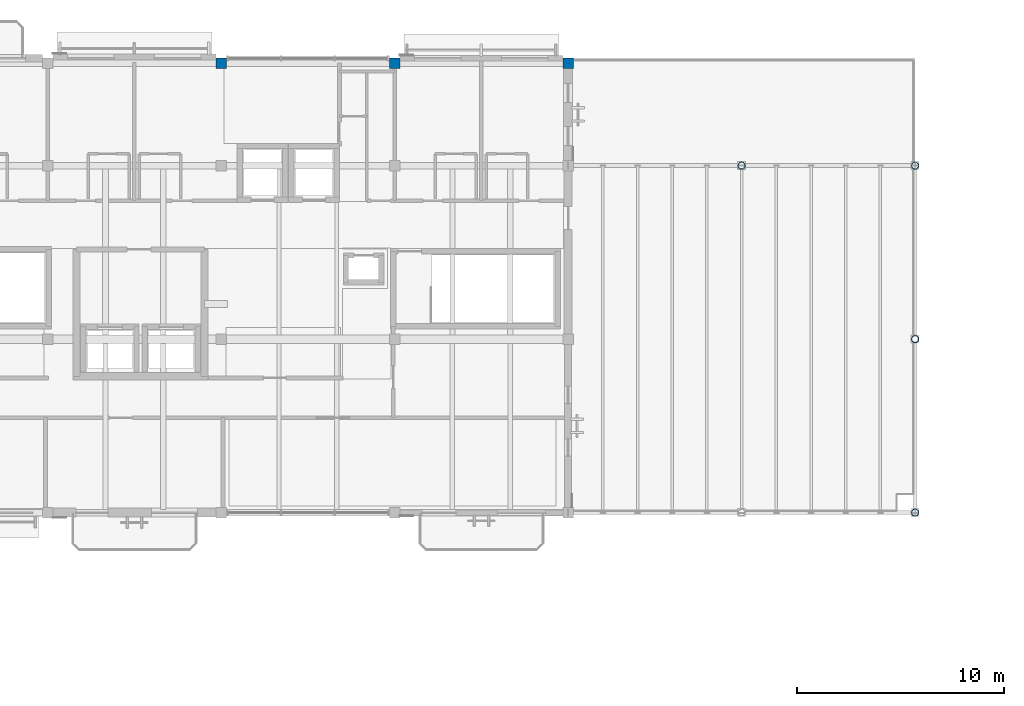
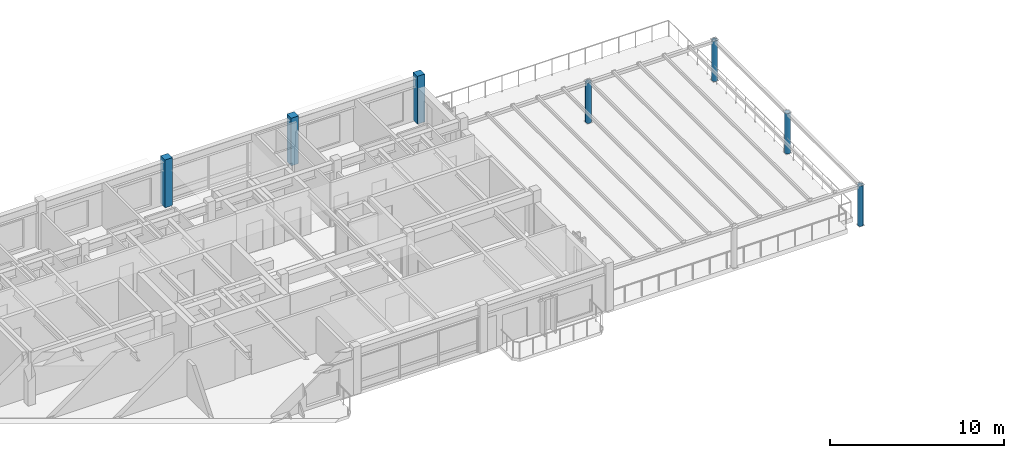
# One storey, part 4 of 24: 7 columns.
"""IFC4 building model written with IfcOpenShell, lengths in metres."""

from ifc_helpers import new_model, si_unit, direction, frame, origin, origin_2d, place, context, subcontext, project, spatial, rectangle, hollow_circle, extrude, material, material_profile, profile_set, type_object, element, save


model = new_model("IFC4")

# Units and contexts
model_context = context("Model", 3, precision=1e-05, world=origin(), true_north=direction((0.0, 1.0)))
body_context = subcontext(model_context, "Body", "Model", "MODEL_VIEW")
ifc_project = project(units=[si_unit("LENGTHUNIT", "METRE"), si_unit("AREAUNIT", "SQUARE_METRE"), si_unit("VOLUMEUNIT", "CUBIC_METRE"), si_unit("PLANEANGLEUNIT", "RADIAN"), si_unit("MASSUNIT", "GRAM", prefix="KILO")], contexts=[model_context])

# Site, building, storey
site_placement = place(None, origin())
site = spatial("IfcSite", under=ifc_project, at=site_placement, CompositionType="ELEMENT")
building_placement = place(site_placement, origin())
building = spatial("IfcBuilding", under=site, at=building_placement, Name="Cumbredor Promenade Congress Hotel", CompositionType="ELEMENT")
storey_placement = place(building_placement, frame((0.0, 0.0, 35.280029296875)))
storey = spatial("IfcBuildingStorey", under=building, at=storey_placement, Name="L10", CompositionType="ELEMENT", Elevation=35.280029296875)

# Columns
ifc_material_1 = material(Name="Concrete C40/50", Category="concrete")
ifc_material_profile_1 = material_profile(ifc_material_1, rectangle(XDim=0.5, YDim=0.5, at=origin_2d()), Name="RC 500x500")
ifc_profile_set_1 = profile_set([ifc_material_profile_1], Name="Concrete C40/50")
column_type_1 = type_object("IfcColumnType", Name="COL-RC-500", PredefinedType="COLUMN", material=ifc_profile_set_1)
for number, where, z_axis, x_axis, name in (
    (1, (33.60009765625, 114.14990234375, 0.0), (0.0, 0.0, 1.0), (1.0, 0.0, 0.0), "L10 Structural Column 016"),
    (2, (42.0, 114.14990234375, 0.0), (0.0, 0.0, 1.0), (1.0, 0.0, 0.0), "L10 Structural Column 020"),
    (3, (50.39990234375, 114.14990234375, 0.0), (0.0, 0.0, 1.0), (1.0, 0.0, 0.0), "L10 Structural Column 024"),
):
    element("IfcColumn", number, at=place(storey_placement, frame(where, z_axis=z_axis, x_axis=x_axis)), inside=storey, type_object=column_type_1, Name=name, PredefinedType="COLUMN", context=body_context, shape_type="SweptSolid", body=[
        extrude(rectangle(XDim=0.5, YDim=0.5, at=origin_2d()), origin(), (0.0, 0.0, 1.0), 3.35986328125),
    ])
ifc_material_2 = material(Name="Steel ASTM A500 Grade C", Category="steel")
ifc_material_profile_2 = material_profile(ifc_material_2, hollow_circle(Radius=0.177734375, WallThickness=0.01611328125, at=origin_2d()), Name="CHS 355.6x16")
ifc_profile_set_2 = profile_set([ifc_material_profile_2], Name="Steel ASTM A500 Grade C")
column_type_2 = type_object("IfcColumnType", Name="COL-STL-CHS355", PredefinedType="COLUMN", material=ifc_profile_set_2)
for number, where, z_axis, x_axis, name in (
    (4, (58.800048828125, 109.199951171875, 0.0048828125), (0.0, 0.0, 1.0), (1.0, 0.0, 0.0), "L10 Sky-Garden Pergola Post 5.5"),
    (5, (67.199951171875, 92.39990234375, 0.0048828125), (0.0, 0.0, 1.0), (1.0, 0.0, 0.0), "L10 Sky-Garden Pergola Post 5.6"),
    (6, (67.199951171875, 100.800048828125, 0.0048828125), (0.0, 0.0, 1.0), (1.0, 0.0, 0.0), "L10 Sky-Garden Pergola Post 5.7"),
    (7, (67.199951171875, 109.199951171875, 0.0048828125), (0.0, 0.0, 1.0), (1.0, 0.0, 0.0), "L10 Sky-Garden Pergola Post 5.8"),
):
    element("IfcColumn", number, at=place(storey_placement, frame(where, z_axis=z_axis, x_axis=x_axis)), inside=storey, type_object=column_type_2, Name=name, PredefinedType="COLUMN", context=body_context, shape_type="SweptSolid", body=[
        extrude(hollow_circle(Radius=0.177734375, WallThickness=0.01611328125, at=origin_2d()), origin(), (0.0, 0.0, 1.0), 2.844970703125),
    ])

save(model, "model.ifc")
